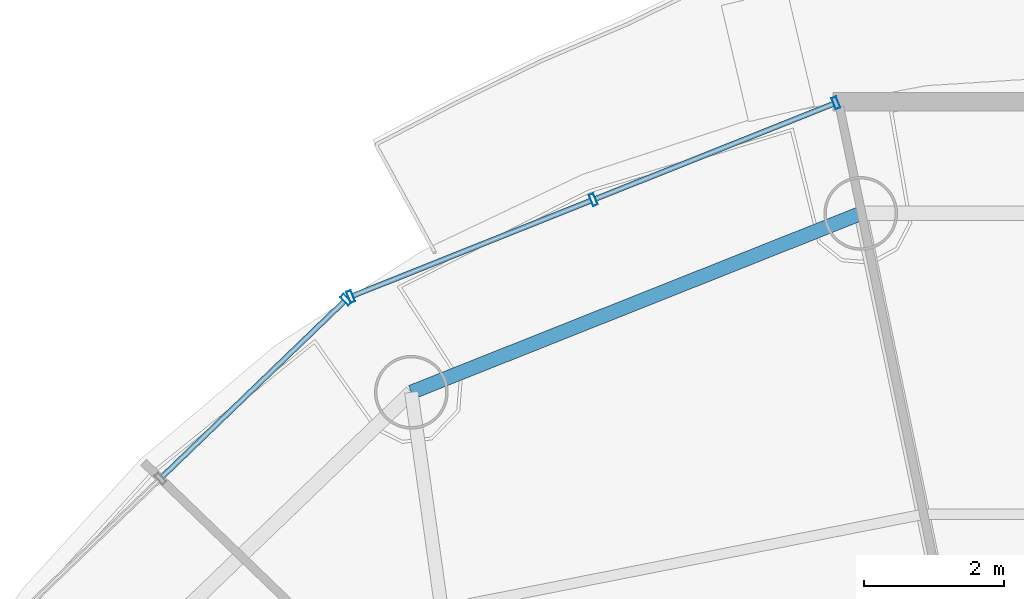
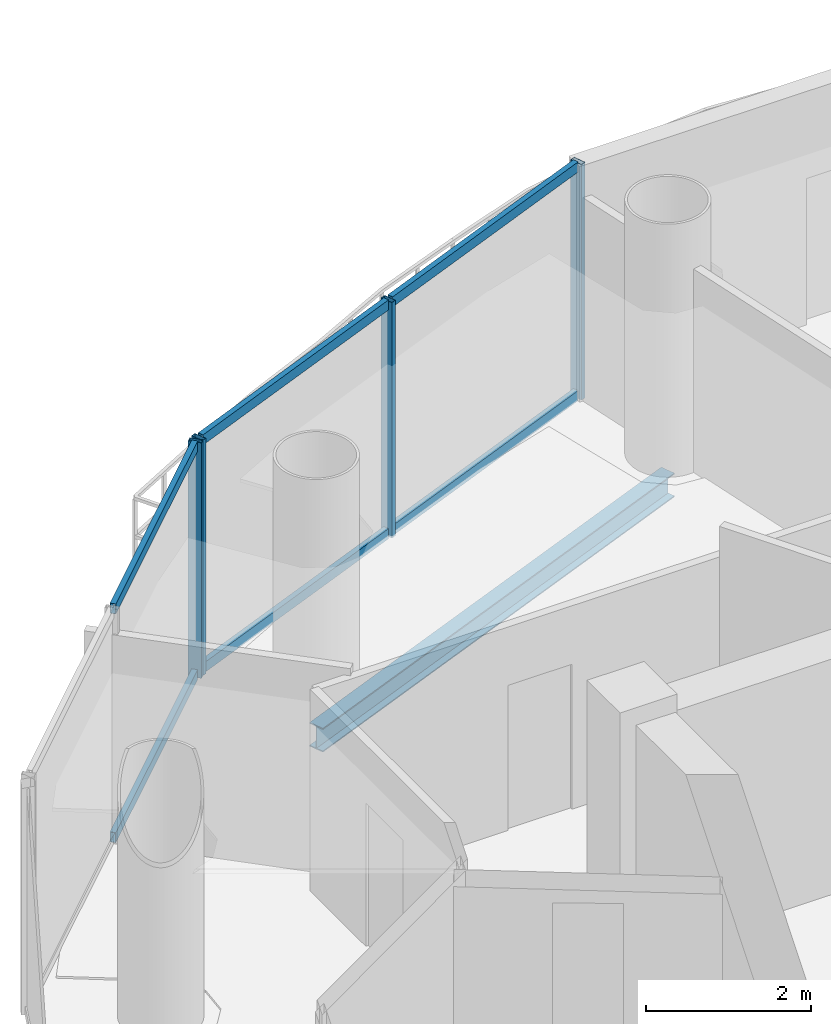
# One storey, part 13 of 23: 10 members, 1 beam, 2 elements without a shape of their own.
"""IFC4 building model written with IfcOpenShell, lengths in metres."""

from ifc_helpers import new_model, si_unit, direction, frame, origin, origin_2d, place, context, subcontext, project, spatial, hollow_rectangle, i_section, extrude, source, transform, mapped, material, material_profile, profile_set, type_object, element, aggregate, save


model = new_model("IFC4")

# Units and contexts
model_context = context("Model", 3, precision=1e-05, world=origin(), true_north=direction((-0.2419218956, 0.970295726276)))
body_context = subcontext(model_context, "Body", "Model", "MODEL_VIEW")
ifc_project = project(units=[si_unit("LENGTHUNIT", "METRE"), si_unit("AREAUNIT", "SQUARE_METRE"), si_unit("VOLUMEUNIT", "CUBIC_METRE"), si_unit("PLANEANGLEUNIT", "RADIAN"), si_unit("MASSUNIT", "GRAM", prefix="KILO")], contexts=[model_context])

# Site, building, storey
site_placement = place(None, origin())
site = spatial("IfcSite", under=ifc_project, at=site_placement, CompositionType="ELEMENT")
building_placement = place(site_placement, origin())
building = spatial("IfcBuilding", under=site, at=building_placement, Name="Cobrevalo Terracotta Tower", CompositionType="ELEMENT")
storey_placement = place(building_placement, frame((0.0, 0.0, 263.199951171875)))
storey = spatial("IfcBuildingStorey", under=building, at=storey_placement, Name="L69", CompositionType="ELEMENT", Elevation=263.199951171875)

# Beam
ifc_material_1 = material(Name="Steel S355", Category="steel")
ifc_material_profile_1 = material_profile(ifc_material_1, i_section(OverallWidth=0.205078125, OverallDepth=0.35400390625, WebThickness=0.009521484375, FlangeThickness=0.016845703125, at=origin_2d()), Name="W 360x79")
ifc_profile_set_1 = profile_set([ifc_material_profile_1], Name="Steel S355")
beam_type = type_object("IfcBeamType", Name="Structural Spandrel W 360x79 (Steel S355)", PredefinedType="SPANDREL", material=ifc_profile_set_1)
beam_placement = place(storey_placement, frame((34.537109375, 43.5224609375, -0.43701171875), z_axis=(-0.929149986048, -0.369702993533, 0.0), x_axis=(0.369702993533, -0.929149986048, 0.0)))
element("IfcBeam", 1, at=beam_placement, inside=storey, type_object=beam_type, Name="L69 perimeter ring spandrel 05", PredefinedType="SPANDREL", context=body_context, shape_type="SweptSolid", body=[
    extrude(i_section(OverallWidth=0.205078125, OverallDepth=0.35400390625, WebThickness=0.009521484375, FlangeThickness=0.016845703125, at=origin_2d()), origin(), (0.0, 0.0, 1.0), 6.88623046875),
])

# Curtain wall, members
ifc_material_2 = material(Name="Anodized aluminium", Category="aluminium")
curtain_wall_type = type_object("IfcCurtainWallType", Name="Upper-tower triple-glazed penthouse curtain wall CW-U3", PredefinedType="NOTDEFINED", material=ifc_material_2)
curtain_wall_1_placement = place(storey_placement, origin())
curtain_wall_1 = element("IfcCurtainWall", 2, at=curtain_wall_1_placement, inside=storey, type_object=curtain_wall_type, Name="L69 curtain wall CW-L69-S05", PredefinedType="NOTDEFINED")
ifc_material_profile_2 = material_profile(ifc_material_2, hollow_rectangle(XDim=0.070068359375, YDim=0.169921875, WallThickness=0.00439453125, at=origin_2d()), Name="CWM 70x170")
ifc_profile_set_2 = profile_set([ifc_material_profile_2], Name="Anodized aluminium")
member_type_1 = type_object("IfcMemberType", Name="Upper tower unitised mullion 70x170", PredefinedType="MULLION", material=ifc_profile_set_2)
shared_shape_1 = source(origin(), body_context, "Body", "SweptSolid", [
    extrude(hollow_rectangle(XDim=0.070068359375, YDim=0.169921875, WallThickness=0.00439453125, at=origin_2d()), origin(), (0.0, 0.0, 1.0), 3.489990234375),
])
member_1_placement = place(storey_placement, frame((34.183837890625, 45.096435546875, 0.0), z_axis=(0.0, 0.0, 1.0), x_axis=(-0.928718980883, -0.370784377433, 0.0)))
member_1 = element("IfcMember", 3, at=member_1_placement, type_object=member_type_1, Name="CW-L69-S05 vertical mullion 01", PredefinedType="MULLION", context=body_context, shape_type="MappedRepresentation", body=[
    mapped(shared_shape_1, transform((0.0, 0.0, 0.0), scale=1.0)),
])
member_2_placement = place(storey_placement, frame((30.729736328125, 43.71728515625, 0.0), z_axis=(0.0, 0.0, 1.0), x_axis=(-0.928718980883, -0.370784377433, 0.0)))
member_2 = element("IfcMember", 4, at=member_2_placement, type_object=member_type_1, Name="CW-L69-S05 vertical mullion 02", PredefinedType="MULLION", context=body_context, shape_type="MappedRepresentation", body=[
    mapped(shared_shape_1, transform((0.0, 0.0, 0.0), scale=1.0)),
])
member_3_placement = place(storey_placement, frame((27.275634765625, 42.33837890625, 0.0), z_axis=(0.0, 0.0, 1.0), x_axis=(-0.928718980883, -0.370784377433, 0.0)))
member_3 = element("IfcMember", 5, at=member_3_placement, type_object=member_type_1, Name="CW-L69-S05 vertical mullion 03", PredefinedType="MULLION", context=body_context, shape_type="MappedRepresentation", body=[
    mapped(shared_shape_1, transform((0.0, 0.0, 0.0), scale=1.0)),
])

curtain_wall_2_placement = place(storey_placement, origin())
curtain_wall_2 = element("IfcCurtainWall", 6, at=curtain_wall_2_placement, inside=storey, type_object=curtain_wall_type, Name="L69 curtain wall CW-L69-S06", PredefinedType="NOTDEFINED")
member_4_placement = place(storey_placement, frame((27.209716796875, 42.2958984375, 0.0), z_axis=(0.0, 0.0, 1.0), x_axis=(-0.71999418085, -0.69398010025, 0.0)))
member_4 = element("IfcMember", 7, at=member_4_placement, type_object=member_type_1, Name="CW-L69-S06 vertical mullion 01", PredefinedType="MULLION", context=body_context, shape_type="MappedRepresentation", body=[
    mapped(shared_shape_1, transform((0.0, 0.0, 0.0), scale=1.0)),
])
ifc_material_profile_3 = material_profile(ifc_material_2, hollow_rectangle(XDim=0.074951171875, YDim=0.14990234375, WallThickness=0.00439453125, at=origin_2d()), Name="CWT 75x150")
ifc_profile_set_3 = profile_set([ifc_material_profile_3], Name="Anodized aluminium")
member_type_2 = type_object("IfcMemberType", Name="Tower unitised aluminium transom 75x150", PredefinedType="USERDEFINED", material=ifc_profile_set_3)
shared_shape_2 = source(origin(), body_context, "Body", "SweptSolid", [
    extrude(hollow_rectangle(XDim=0.074951171875, YDim=0.14990234375, WallThickness=0.00439453125, at=origin_2d()), origin(), (0.0, 0.0, 1.0), 3.59130859375),
])
member_5_placement = place(storey_placement, frame((27.180908203125, 42.26806640625, 0.050048828125), z_axis=(-0.720005628362, -0.693968223427, 0.0), x_axis=(0.693968223427, -0.720005628362, 0.0)))
member_5 = element("IfcMember", 8, at=member_5_placement, type_object=member_type_2, Name="CW-L69-S06 transom B01-T1", ObjectType="TRANSOM", PredefinedType="USERDEFINED", context=body_context, shape_type="MappedRepresentation", body=[
    mapped(shared_shape_2, transform((0.0, 0.0, 0.0), scale=1.0)),
])
member_6_placement = place(storey_placement, frame((27.180908203125, 42.26806640625, 3.43994140625), z_axis=(-0.720005628362, -0.693968223427, 0.0), x_axis=(0.693968223427, -0.720005628362, 0.0)))
member_6 = element("IfcMember", 9, at=member_6_placement, type_object=member_type_2, Name="CW-L69-S06 transom B01-T2", ObjectType="TRANSOM", PredefinedType="USERDEFINED", context=body_context, shape_type="MappedRepresentation", body=[
    mapped(shared_shape_2, transform((0.0, 0.0, 0.0), scale=1.0)),
])
aggregate(curtain_wall_2, [member_4, member_5, member_6])

# Member
shared_shape_3 = source(origin(), body_context, "Body", "SweptSolid", [
    extrude(hollow_rectangle(XDim=0.074951171875, YDim=0.14990234375, WallThickness=0.00439453125, at=origin_2d()), origin(), (0.0, 0.0, 1.0), 3.63916015625),
])
member_7_placement = place(storey_placement, frame((34.146728515625, 45.08154296875, 0.050048828125), z_axis=(-0.928712471544, -0.370800681227, 0.0), x_axis=(0.370800681227, -0.928712471544, 0.0)))
member_7 = element("IfcMember", 10, at=member_7_placement, type_object=member_type_2, Name="CW-L69-S05 transom B01-T1", ObjectType="TRANSOM", PredefinedType="USERDEFINED", context=body_context, shape_type="MappedRepresentation", body=[
    mapped(shared_shape_3, transform((0.0, 0.0, 0.0), scale=1.0)),
])

member_8_placement = place(storey_placement, frame((34.146728515625, 45.08154296875, 3.43994140625), z_axis=(-0.928712471544, -0.370800681227, 0.0), x_axis=(0.370800681227, -0.928712471544, 0.0)))
member_8 = element("IfcMember", 11, at=member_8_placement, type_object=member_type_2, Name="CW-L69-S05 transom B01-T2", ObjectType="TRANSOM", PredefinedType="USERDEFINED", context=body_context, shape_type="MappedRepresentation", body=[
    mapped(shared_shape_3, transform((0.0, 0.0, 0.0), scale=1.0)),
])

member_9_placement = place(storey_placement, frame((30.692626953125, 43.70263671875, 0.050048828125), z_axis=(-0.928712471544, -0.370800681227, 0.0), x_axis=(0.370800681227, -0.928712471544, 0.0)))
member_9 = element("IfcMember", 12, at=member_9_placement, type_object=member_type_2, Name="CW-L69-S05 transom B02-T1", ObjectType="TRANSOM", PredefinedType="USERDEFINED", context=body_context, shape_type="MappedRepresentation", body=[
    mapped(shared_shape_3, transform((0.0, 0.0, 0.0), scale=1.0)),
])

member_10_placement = place(storey_placement, frame((30.692626953125, 43.70263671875, 3.43994140625), z_axis=(-0.928712471544, -0.370800681227, 0.0), x_axis=(0.370800681227, -0.928712471544, 0.0)))
member_10 = element("IfcMember", 13, at=member_10_placement, type_object=member_type_2, Name="CW-L69-S05 transom B02-T2", ObjectType="TRANSOM", PredefinedType="USERDEFINED", context=body_context, shape_type="MappedRepresentation", body=[
    mapped(shared_shape_3, transform((0.0, 0.0, 0.0), scale=1.0)),
])

aggregate(curtain_wall_1, [member_1, member_2, member_3, member_7, member_8, member_9, member_10])

save(model, "model.ifc")
